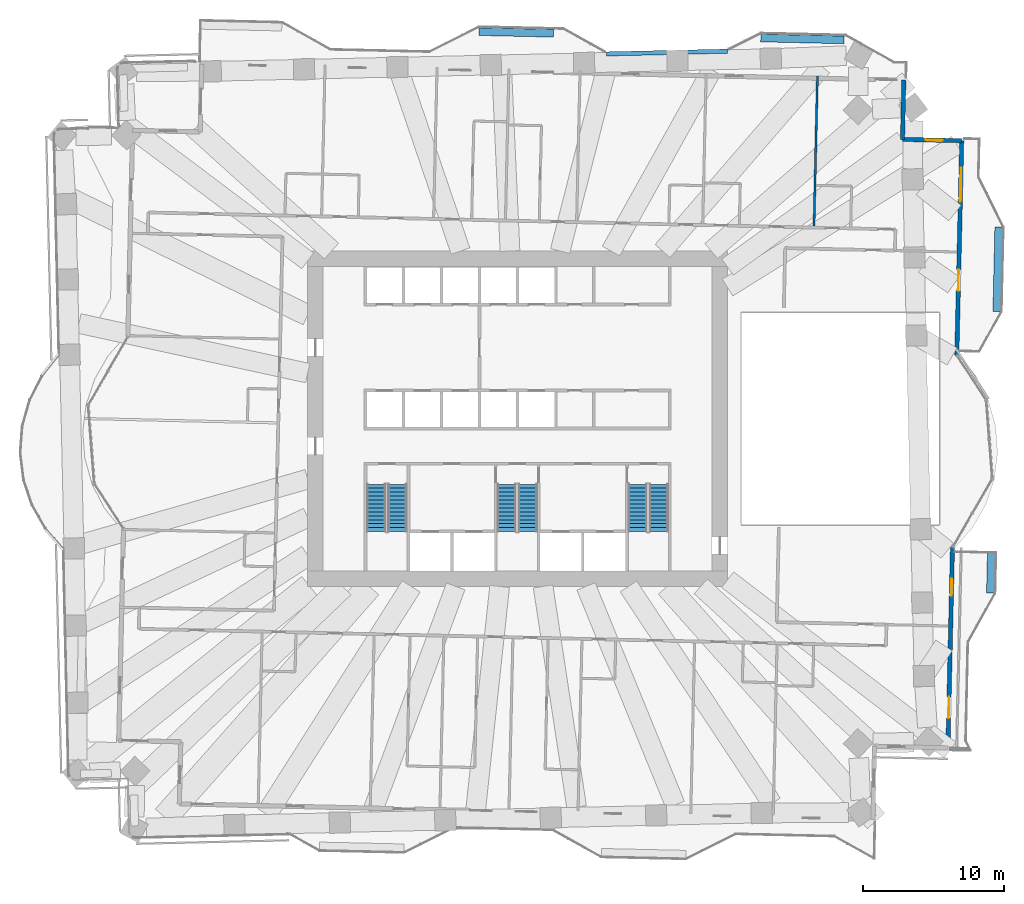
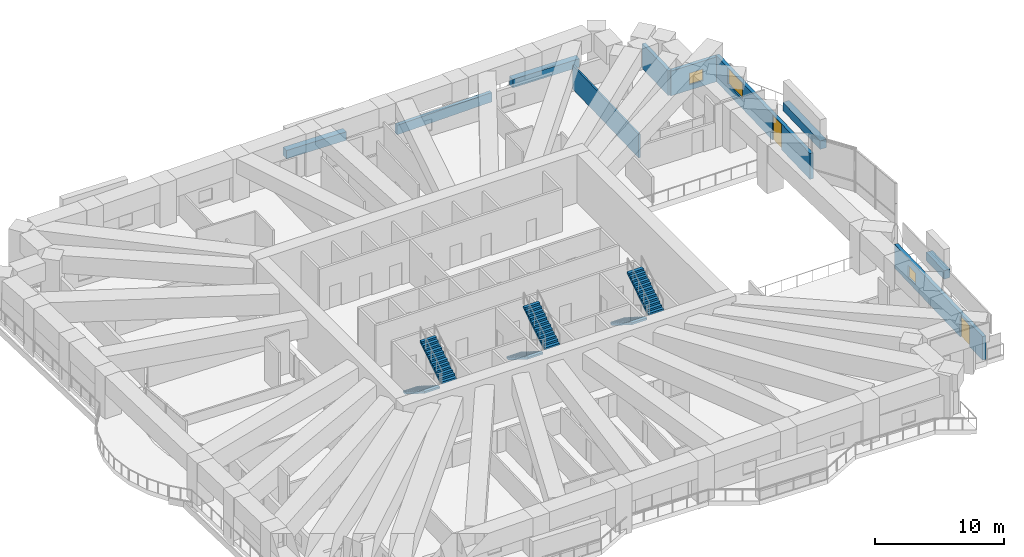
# One storey, part 14 of 20: 10 walls, 6 stair flights, 3 windows, 2 doors, 5 openings, 3 elements without a shape of their own.
"""IFC4 building model written with IfcOpenShell, lengths in metres."""

import ifcopenshell
import ifcopenshell.guid

model = None  # the IFC model being written
_history = None  # IfcOwnerHistory: only IFC2X3 demands one
_inside = {}  # id of a spatial element -> (the spatial element, [elements in it])
_under = {}  # id of a project, library or spatial element -> (it, [spatial elements below it])
_declared = {}  # id of a project -> (the project, [libraries it declares])
_typed = {}  # id of a type object -> (the type object, [elements of that type])
_made_of = {}  # id of a material, layer set ... -> (it, [elements and type objects made of it])


def new_model(schema):
    """Start an empty IFC model of exactly this schema.

    Asked for "IFC4X3", IfcOpenShell would pick the latest addendum, in which some entities
    have other attributes; the version numbers below select the first issue.
    IFC2X3 requires an IfcOwnerHistory on every rooted entity: one is made here for all.
    """
    global model, _history
    if schema == "IFC4X3":
        model = ifcopenshell.file(schema_version=(4, 3, 0, 0))
    else:
        model = ifcopenshell.file(schema=schema)
    _inside.clear()
    _under.clear()
    _declared.clear()
    _typed.clear()
    _made_of.clear()
    _history = None
    if model.schema == "IFC2X3":
        org = make("IfcOrganization", Name="unknown")
        user = make(
            "IfcPersonAndOrganization",
            ThePerson=make("IfcPerson", FamilyName="unknown"),
            TheOrganization=org,
        )
        app = make(
            "IfcApplication",
            ApplicationDeveloper=org,
            Version="unknown",
            ApplicationFullName="unknown",
            ApplicationIdentifier="unknown",
        )
        _history = make(
            "IfcOwnerHistory",
            OwningUser=user,
            OwningApplication=app,
            ChangeAction="ADDED",
            CreationDate=0,
        )
    return model


def make(cls, **values):
    """One entity of the class cls with the attributes given. An attribute that is None is left unset."""
    return model.create_entity(
        cls, **{name: value for name, value in values.items() if value is not None}
    )


def rooted(cls, **values):
    """An entity with a GlobalId (a new one), such as an element, a storey or a relation."""
    return make(cls, GlobalId=ifcopenshell.guid.new(), OwnerHistory=_history, **values)


def si_unit(unit_type, name, prefix=None):
    """IfcSIUnit, for example si_unit("LENGTHUNIT", "METRE", prefix="MILLI")."""
    return make("IfcSIUnit", UnitType=unit_type, Prefix=prefix, Name=name)


def assignment(units):
    """IfcUnitAssignment: the units of a project."""
    return None if units is None else make("IfcUnitAssignment", Units=units)


def point(xyz):
    """IfcCartesianPoint."""
    return None if xyz is None else make("IfcCartesianPoint", Coordinates=xyz)


def direction(xyz):
    """IfcDirection."""
    return None if xyz is None else make("IfcDirection", DirectionRatios=xyz)


def frame(location, z_axis=None, x_axis=None):
    """IfcAxis2Placement3D, a coordinate frame: its origin and axes. An axis left out is left unset."""
    return make(
        "IfcAxis2Placement3D",
        Location=point(location),
        Axis=direction(z_axis),
        RefDirection=direction(x_axis),
    )


def frame_2d(location, x_axis=None):
    """IfcAxis2Placement2D, a coordinate frame in the plane: its origin and x axis."""
    return make(
        "IfcAxis2Placement2D", Location=point(location), RefDirection=direction(x_axis)
    )


def origin():
    """The frame at (0, 0, 0) with its axes left unset."""
    return frame((0.0, 0.0, 0.0))


def place(relative_to, where):
    """IfcLocalPlacement: puts the frame where relative to a parent placement (None: the world)."""
    return make(
        "IfcLocalPlacement", PlacementRelTo=relative_to, RelativePlacement=where
    )


def context(
    kind, dimensions, precision=None, world=None, true_north=None, identifier=None
):
    """IfcGeometricRepresentationContext, for example the 3D "Model" context."""
    return make(
        "IfcGeometricRepresentationContext",
        ContextIdentifier=identifier,
        ContextType=kind,
        CoordinateSpaceDimension=dimensions,
        Precision=precision,
        WorldCoordinateSystem=world,
        TrueNorth=true_north,
    )


def subcontext(parent, identifier, kind, view, scale=None):
    """IfcGeometricRepresentationSubContext, for example "Body" below "Model"."""
    return make(
        "IfcGeometricRepresentationSubContext",
        ContextIdentifier=identifier,
        ContextType=kind,
        ParentContext=parent,
        TargetScale=scale,
        TargetView=view,
    )


def project(units=None, contexts=None):
    """IfcProject with its units and contexts."""
    return rooted(
        "IfcProject",
        Name="project",
        RepresentationContexts=contexts,
        UnitsInContext=assignment(units),
    )


def spatial(cls, under=None, at=None, **own):
    """A site, building, storey or space (cls), placed at a placement, below another one or the project."""
    s = rooted(cls, ObjectPlacement=at, **own)
    if under is not None:
        _under.setdefault(under.id(), (under, []))[1].append(s)
    return s


def polyline(points):
    """IfcPolyline through the points."""
    return make("IfcPolyline", Points=[point(p) for p in points])


def profile(cls, at=None, kind="AREA", **sizes):
    """A parametric profile (cls). Its sizes go by their IFC names, for example OverallWidth=200.0."""
    return make(cls, ProfileType=kind, Position=at, **sizes)


def rectangle(**sizes):
    """IfcRectangleProfileDef."""
    return profile("IfcRectangleProfileDef", **sizes)


def outline(outer, holes=None, kind="AREA"):
    """IfcArbitraryClosedProfileDef: a profile drawn as a closed curve; with holes, ...WithVoids."""
    if holes is None:
        return make("IfcArbitraryClosedProfileDef", ProfileType=kind, OuterCurve=outer)
    return make(
        "IfcArbitraryProfileDefWithVoids",
        ProfileType=kind,
        OuterCurve=outer,
        InnerCurves=holes,
    )


def extrude(swept, where, along, depth):
    """IfcExtrudedAreaSolid: the profile swept, set in the frame where, extruded along a direction by depth."""
    return make(
        "IfcExtrudedAreaSolid",
        SweptArea=swept,
        Position=where,
        ExtrudedDirection=direction(along),
        Depth=depth,
    )


def shape(context_of_items, identifier, shape_type, items):
    """IfcShapeRepresentation: the items that make up one representation, for example the "Body"."""
    return make(
        "IfcShapeRepresentation",
        ContextOfItems=context_of_items,
        RepresentationIdentifier=identifier,
        RepresentationType=shape_type,
        Items=items,
    )


def material(Name=None, Category=None):
    """IfcMaterial."""
    return make("IfcMaterial", Name=Name, Category=Category)


def layer(
    of_material, thickness, ventilated=None, Name=None, Category=None, Priority=None
):
    """IfcMaterialLayer: one layer of a wall or slab, of a material (None: an air gap)."""
    return make(
        "IfcMaterialLayer",
        Material=of_material,
        LayerThickness=thickness,
        IsVentilated=ventilated,
        Name=Name,
        Category=Category,
        Priority=Priority,
    )


def layer_set(layers, Name=None):
    """IfcMaterialLayerSet."""
    return make("IfcMaterialLayerSet", MaterialLayers=layers, LayerSetName=Name)


def made_of(thing, what):
    """Note that an element or type object is made of a material, layer set ...; save() writes the relation."""
    if what is not None:
        _made_of.setdefault(what.id(), (what, []))[1].append(thing)
    return thing


def type_object(cls, material=None, **own):
    """A type object (cls), such as IfcWallType, which elements share."""
    return made_of(rooted(cls, **own), material)


def element(
    cls,
    number,
    at=None,
    inside=None,
    cuts=None,
    type_object=None,
    material=None,
    context=None,
    identifier="Body",
    shape_type=None,
    held_by="IfcProductDefinitionShape",
    body=None,
    shapes=None,
    **own,
):
    """One element of the class cls, such as IfcWall. Its Tag is "e" and its number.

    at: its placement. inside: the storey or other place that contains it. cuts: it is an
    opening in that element (IfcRelVoidsElement). A single representation is given by context,
    identifier, shape_type and body (its items); several are given by shapes. held_by: the class
    of the entity that holds the representations. save() writes the other relations.
    """
    e = rooted(cls, Tag="e%d" % number, ObjectPlacement=at, **own)
    if body is not None:
        shapes = [shape(context, identifier, shape_type, body)]
    if shapes is not None:
        e.Representation = make(held_by, Representations=shapes)
    if inside is not None:
        _inside.setdefault(inside.id(), (inside, []))[1].append(e)
    if cuts is not None:
        rooted(
            "IfcRelVoidsElement", RelatingBuildingElement=cuts, RelatedOpeningElement=e
        )
    if type_object is not None:
        _typed.setdefault(type_object.id(), (type_object, []))[1].append(e)
    return made_of(e, material)


def fill(opening, filler):
    """IfcRelFillsElement: the door or window that sits in an opening."""
    return rooted(
        "IfcRelFillsElement",
        RelatingOpeningElement=opening,
        RelatedBuildingElement=filler,
    )


def aggregate(whole, parts):
    """IfcRelAggregates: a whole, such as a stair, and the parts it consists of."""
    return rooted("IfcRelAggregates", RelatingObject=whole, RelatedObjects=parts)


def save(model, path):
    """Write the relations noted so far, then the file.

    IfcRelAggregates (storeys below a building ...), IfcRelContainedInSpatialStructure (elements
    in a storey), IfcRelDefinesByType, IfcRelAssociatesMaterial and IfcRelDeclares: one each for
    every whole, place, type object, material and project.
    """
    for whole, parts in _under.values():
        aggregate(whole, parts)
    for where, things in _inside.values():
        rooted(
            "IfcRelContainedInSpatialStructure",
            RelatedElements=things,
            RelatingStructure=where,
        )
    for kind, things in _typed.values():
        rooted("IfcRelDefinesByType", RelatedObjects=things, RelatingType=kind)
    for what, things in _made_of.values():
        rooted("IfcRelAssociatesMaterial", RelatedObjects=things, RelatingMaterial=what)
    for by, libraries in _declared.values():
        rooted("IfcRelDeclares", RelatingContext=by, RelatedDefinitions=libraries)
    model.write(path)


model = new_model("IFC4")

# Units and contexts
model_context = context("Model", 3, precision=1e-05, world=origin(), true_north=direction((0.0, 1.0)))
body_context = subcontext(model_context, "Body", "Model", "MODEL_VIEW")
ifc_project = project(units=[si_unit("LENGTHUNIT", "METRE"), si_unit("AREAUNIT", "SQUARE_METRE"), si_unit("VOLUMEUNIT", "CUBIC_METRE"), si_unit("PLANEANGLEUNIT", "RADIAN"), si_unit("MASSUNIT", "GRAM", prefix="KILO")], contexts=[model_context])

# Site, building, storey
site_placement = place(None, origin())
site = spatial("IfcSite", under=ifc_project, at=site_placement, CompositionType="ELEMENT")
building_placement = place(site_placement, origin())
building = spatial("IfcBuilding", under=site, at=building_placement, Name="Mangrove Gate Tower", CompositionType="ELEMENT")
storey_placement = place(building_placement, frame((0.0, 0.0, 52.10009765625)))
storey = spatial("IfcBuildingStorey", under=building, at=storey_placement, Name="L12", CompositionType="ELEMENT", Elevation=52.10009765625)

# Wall, openings, door, window
ifc_material_1 = material(Name="Limestone", Category="masonry")
ifc_layer_1 = layer(ifc_material_1, 0.0400390625, Name="Limestone cladding")
ifc_material_2 = material(Name="Ventilated air gap")
ifc_layer_2 = layer(ifc_material_2, 0.0400390625, Name="Ventilated cavity")
ifc_material_3 = material(Name="Mineral wool insulation")
ifc_layer_3 = layer(ifc_material_3, 0.06005859375, Name="Insulation")
ifc_material_4 = material(Name="Breather membrane")
ifc_layer_4 = layer(ifc_material_4, 0.001953125, Name="Breather membrane")
ifc_material_5 = material(Name="Concrete C20/25 blockwork", Category="masonry")
ifc_layer_5 = layer(ifc_material_5, 0.14990234375, Name="Blockwork backing wall")
ifc_material_6 = material(Name="Gypsum plaster")
ifc_layer_6 = layer(ifc_material_6, 0.008056640625, Name="Internal plaster")
ifc_layer_set_1 = layer_set([ifc_layer_1, ifc_layer_2, ifc_layer_3, ifc_layer_4, ifc_layer_5, ifc_layer_6], Name="External wall 300 limestone cladding")
wall_type_1 = type_object("IfcWallType", Name="External wall 300 limestone cladding", PredefinedType="SOLIDWALL", material=ifc_layer_set_1)
wall_1_placement = place(storey_placement, frame((30.532958984375, -23.362060546875, 0.0), z_axis=(0.0, 0.0, 1.0), x_axis=(0.022698800888, 0.999742349027, 0.0)))
wall_1 = element("IfcWall", 1, at=wall_1_placement, inside=storey, type_object=wall_type_1, Name="WALL-L12-E0", PredefinedType="SOLIDWALL", context=body_context, shape_type="SweptSolid", body=[
    extrude(rectangle(XDim=14.229736328125, YDim=0.300048828125, at=frame_2d((7.11474609375, 0.0))), origin(), (0.0, 0.0, 1.0), 2.25),
])
opening_1_placement = place(wall_1_placement, frame((2.116943359375, 0.0, 0.0)))
opening_1 = element("IfcOpeningElement", 2, at=opening_1_placement, cuts=wall_1, Name="Opening BD3", PredefinedType="OPENING", context=body_context, shape_type="SweptSolid", body=[
    extrude(rectangle(XDim=1.5, YDim=2.0, at=frame_2d((0.75, 1.0))), frame((0.0, 0.159912109375, 0.0), z_axis=(0.0, -1.0, 0.0), x_axis=(1.0, 0.0, 0.0)), (0.0, 0.0, 1.0), 0.320068359375),
])
opening_2_placement = place(wall_1_placement, frame((10.81201171875, 0.0, 0.5)))
opening_2 = element("IfcOpeningElement", 3, at=opening_2_placement, cuts=wall_1, Name="Opening W6", PredefinedType="OPENING", context=body_context, shape_type="SweptSolid", body=[
    extrude(rectangle(XDim=1.199951171875, YDim=1.10009765625, at=frame_2d((0.60009765625, 0.550048828125))), frame((0.0, 0.159912109375, 0.0), z_axis=(0.0, -1.0, 0.0), x_axis=(1.0, 0.0, 0.0)), (0.0, 0.0, 1.0), 0.320068359375),
])
ifc_material_7 = material(Name="Aluminium frame with laminated clear glass", Category="aluminium")
door_type_1 = type_object("IfcDoorType", Name="Balcony sliding door 1500x2000", OperationType="SLIDING_TO_LEFT", PredefinedType="DOOR", material=ifc_material_7)
door_1_placement = place(opening_1_placement, origin())
door_1 = element("IfcDoor", 4, at=door_1_placement, inside=storey, type_object=door_type_1, Name="DOOR-L12-E0-1", OperationType="SLIDING_TO_LEFT", OverallHeight=2.0, OverallWidth=1.5, PredefinedType="DOOR", context=body_context, shape_type="SweptSolid", body=[
    extrude(rectangle(XDim=1.5, YDim=2.0, at=frame_2d((0.75, 1.0))), frame((0.0, 0.02490234375, 0.0), z_axis=(0.0, -1.0, 0.0), x_axis=(1.0, 0.0, 0.0)), (0.0, 0.0, 1.0), 0.050048828125),
])
fill(opening_1, door_1)
ifc_material_8 = material(Name="Aluminium frame with double-glazed low-e glass", Category="aluminium")
window_type_1 = type_object("IfcWindowType", Name="Low window 1200x1100", PartitioningType="SINGLE_PANEL", PredefinedType="WINDOW", material=ifc_material_8)
window_1_placement = place(opening_2_placement, origin())
window_1 = element("IfcWindow", 5, at=window_1_placement, inside=storey, type_object=window_type_1, Name="WIN-L12-E0-2", OverallHeight=1.10009765625, OverallWidth=1.199951171875, PartitioningType="SINGLE_PANEL", PredefinedType="WINDOW", context=body_context, shape_type="SweptSolid", body=[
    extrude(rectangle(XDim=1.199951171875, YDim=1.10009765625, at=frame_2d((0.60009765625, 0.550048828125))), frame((0.0, 0.030029296875, 0.0), z_axis=(0.0, -1.0, 0.0), x_axis=(1.0, 0.0, 0.0)), (0.0, 0.0, 1.0), 0.06005859375),
])
fill(opening_2, window_1)

wall_2_placement = place(storey_placement, frame((31.1650390625, 4.501953125, 0.0), z_axis=(0.0, 0.0, 1.0), x_axis=(0.022716307128, 0.999741951401, 0.0)))
wall_2 = element("IfcWall", 6, at=wall_2_placement, inside=storey, type_object=wall_type_1, Name="WALL-L12-E2", PredefinedType="SOLIDWALL", context=body_context, shape_type="SweptSolid", body=[
    extrude(rectangle(XDim=15.22900390625, YDim=0.300048828125, at=frame_2d((7.614501953125, 0.0))), origin(), (0.0, 0.0, 1.0), 2.449951171875),
])
opening_3_placement = place(wall_2_placement, frame((4.577880859375, 0.0, 0.0)))
opening_3 = element("IfcOpeningElement", 7, at=opening_3_placement, cuts=wall_2, Name="Opening BD1", PredefinedType="OPENING", context=body_context, shape_type="SweptSolid", body=[
    extrude(rectangle(XDim=1.5, YDim=2.39990234375, at=frame_2d((0.75, 1.199951171875))), frame((0.0, 0.159912109375, 0.0), z_axis=(0.0, -1.0, 0.0), x_axis=(1.0, 0.0, 0.0)), (0.0, 0.0, 1.0), 0.320068359375),
])
opening_4_placement = place(wall_2_placement, frame((10.904052734375, 0.0, 0.89990234375)))
opening_4 = element("IfcOpeningElement", 8, at=opening_4_placement, cuts=wall_2, Name="Opening W2", PredefinedType="OPENING", context=body_context, shape_type="SweptSolid", body=[
    extrude(rectangle(XDim=2.39990234375, YDim=1.5, at=frame_2d((1.199951171875, 0.75))), frame((0.0, 0.159912109375, 0.0), z_axis=(0.0, -1.0, 0.0), x_axis=(1.0, 0.0, 0.0)), (0.0, 0.0, 1.0), 0.320068359375),
])
ifc_material_9 = material(Name="Aluminium frame with laminated clear glass", Category="aluminium")
door_type_2 = type_object("IfcDoorType", Name="Balcony sliding door 1500x2400", OperationType="SLIDING_TO_LEFT", PredefinedType="DOOR", material=ifc_material_9)
door_2_placement = place(opening_3_placement, origin())
door_2 = element("IfcDoor", 9, at=door_2_placement, inside=storey, type_object=door_type_2, Name="DOOR-L12-E2-1", OperationType="SLIDING_TO_LEFT", OverallHeight=2.39990234375, OverallWidth=1.5, PredefinedType="DOOR", context=body_context, shape_type="SweptSolid", body=[
    extrude(rectangle(XDim=1.5, YDim=2.39990234375, at=frame_2d((0.75, 1.199951171875))), frame((0.0, 0.02490234375, 0.0), z_axis=(0.0, -1.0, 0.0), x_axis=(1.0, 0.0, 0.0)), (0.0, 0.0, 1.0), 0.050048828125),
])
fill(opening_3, door_2)
ifc_material_10 = material(Name="Aluminium frame with double-glazed low-e glass", Category="aluminium")
window_type_2 = type_object("IfcWindowType", Name="Corner room window 2400x1500", PartitioningType="DOUBLE_PANEL_VERTICAL", PredefinedType="WINDOW", material=ifc_material_10)
window_2_placement = place(opening_4_placement, origin())
window_2 = element("IfcWindow", 10, at=window_2_placement, inside=storey, type_object=window_type_2, Name="WIN-L12-E2-2", OverallHeight=1.5, OverallWidth=2.39990234375, PartitioningType="DOUBLE_PANEL_VERTICAL", PredefinedType="WINDOW", context=body_context, shape_type="SweptSolid", body=[
    extrude(rectangle(XDim=2.39990234375, YDim=1.5, at=frame_2d((1.199951171875, 0.75))), frame((0.0, 0.030029296875, 0.0), z_axis=(0.0, -1.0, 0.0), x_axis=(1.0, 0.0, 0.0)), (0.0, 0.0, 1.0), 0.06005859375),
])
fill(opening_4, window_2)

# Wall, opening, window
wall_3_placement = place(storey_placement, frame((31.510986328125, 19.72705078125, 0.0), z_axis=(0.0, 0.0, 1.0), x_axis=(-0.999744320311, 0.022611811187, 0.0)))
wall_3 = element("IfcWall", 11, at=wall_3_placement, inside=storey, type_object=wall_type_1, Name="WALL-L12-N3", PredefinedType="SOLIDWALL", context=body_context, shape_type="SweptSolid", body=[
    extrude(rectangle(XDim=4.199951171875, YDim=0.300048828125, at=frame_2d((2.10009765625, 0.0))), origin(), (0.0, 0.0, 1.0), 2.349853515625),
])
opening_5_placement = place(wall_3_placement, frame((1.35009765625, 0.0, 0.5)))
opening_5 = element("IfcOpeningElement", 12, at=opening_5_placement, cuts=wall_3, Name="Opening W6", PredefinedType="OPENING", context=body_context, shape_type="SweptSolid", body=[
    extrude(rectangle(XDim=1.199951171875, YDim=1.10009765625, at=frame_2d((0.60009765625, 0.550048828125))), frame((0.0, 0.159912109375, 0.0), z_axis=(0.0, -1.0, 0.0), x_axis=(1.0, 0.0, 0.0)), (0.0, 0.0, 1.0), 0.320068359375),
])
window_3_placement = place(opening_5_placement, origin())
window_3 = element("IfcWindow", 13, at=window_3_placement, inside=storey, type_object=window_type_1, Name="WIN-L12-N3-1", OverallHeight=1.10009765625, OverallWidth=1.199951171875, PartitioningType="SINGLE_PANEL", PredefinedType="WINDOW", context=body_context, shape_type="SweptSolid", body=[
    extrude(rectangle(XDim=1.199951171875, YDim=1.10009765625, at=frame_2d((0.60009765625, 0.550048828125))), frame((0.0, 0.030029296875, 0.0), z_axis=(0.0, -1.0, 0.0), x_axis=(1.0, 0.0, 0.0)), (0.0, 0.0, 1.0), 0.06005859375),
])
fill(opening_5, window_3)

# Walls
wall_4_placement = place(storey_placement, frame((27.31201171875, 19.822021484375, 0.0), z_axis=(0.0, 0.0, 1.0), x_axis=(0.022611811187, 0.999744320311, 0.0)))
element("IfcWall", 14, at=wall_4_placement, inside=storey, type_object=wall_type_1, Name="WALL-L12-E4", PredefinedType="SOLIDWALL", context=body_context, shape_type="SweptSolid", body=[
    extrude(rectangle(XDim=4.199951171875, YDim=0.300048828125, at=frame_2d((2.10009765625, 0.0))), origin(), (0.0, 0.0, 1.0), 2.349853515625),
])
ifc_layer_7 = layer(ifc_material_1, 0.0400390625, Name="Limestone cladding")
ifc_layer_8 = layer(ifc_material_2, 0.030029296875, Name="Ventilated cavity")
ifc_layer_9 = layer(ifc_material_3, 0.050048828125, Name="Insulation")
ifc_material_11 = material(Name="Concrete C32/40", Category="concrete")
ifc_layer_10 = layer(ifc_material_11, 0.179931640625, Name="Parapet core wall")
ifc_layer_set_2 = layer_set([ifc_layer_7, ifc_layer_8, ifc_layer_9, ifc_layer_10], Name="Parapet 300 limestone")
wall_type_2 = type_object("IfcWallType", Name="Parapet 300 limestone", PredefinedType="PARAPET", material=ifc_layer_set_2)
wall_5_placement = place(storey_placement, frame((6.31103515625, 25.886962890625, 0.0), z_axis=(0.0, 0.0, 1.0), x_axis=(0.999744761435, 0.022592299185, 0.0)))
element("IfcWall", 15, at=wall_5_placement, inside=storey, type_object=wall_type_2, Name="PARAPET L12 T1.1.1", PredefinedType="PARAPET", context=body_context, shape_type="SweptSolid", body=[
    extrude(rectangle(XDim=8.591064453125, YDim=0.300048828125, at=frame_2d((4.29541015625, 0.0))), origin(), (0.0, 0.0, 1.0), 0.89990234375),
])
ifc_material_12 = material(Name="Gypsum board on steel stud, EI 60", Category="steel")
ifc_layer_11 = layer(ifc_material_12, 0.14990234375)
ifc_layer_set_3 = layer_set([ifc_layer_11], Name="Party wall 150 EI 60")
wall_type_3 = type_object("IfcWallType", Name="Party wall 150 EI 60", PredefinedType="PARTITIONING", material=ifc_layer_set_3)
wall_6_placement = place(storey_placement, frame((21.031982421875, 13.6630859375, 0.0), z_axis=(0.0, 0.0, 1.0), x_axis=(0.022718280885, 0.999741906551, 0.0)))
element("IfcWall", 16, at=wall_6_placement, inside=storey, type_object=wall_type_3, Name="WALL-L12-056", PredefinedType="PARTITIONING", context=body_context, shape_type="SweptSolid", body=[
    extrude(rectangle(XDim=10.649658203125, YDim=0.14990234375, at=frame_2d((5.32470703125, 0.0))), origin(), (0.0, 0.0, 1.0), 2.25),
])
ifc_layer_12 = layer(ifc_material_11, 0.199951171875, Name="Planter trough wall")
ifc_material_13 = material(Name="Bituminous waterproofing membrane")
ifc_layer_13 = layer(ifc_material_13, 0.0048828125, Name="Waterproofing")
ifc_material_14 = material(Name="Drainage board and gravel")
ifc_layer_14 = layer(ifc_material_14, 0.044921875, Name="Drainage layer")
ifc_material_15 = material(Name="Planting soil")
ifc_layer_15 = layer(ifc_material_15, 0.300048828125, Name="Growing medium")
ifc_layer_set_4 = layer_set([ifc_layer_12, ifc_layer_13, ifc_layer_14, ifc_layer_15], Name="Planter wall 550 C32/40")
wall_type_4 = type_object("IfcWallType", Name="Planter wall 550 C32/40", PredefinedType="USERDEFINED", material=ifc_layer_set_4)
wall_7_placement = place(storey_placement, frame((33.548095703125, -12.3779296875, 0.0), z_axis=(0.0, 0.0, 1.0), x_axis=(0.022590224177, 0.999744808324, 0.0)))
element("IfcWall", 17, at=wall_7_placement, inside=storey, type_object=wall_type_4, Name="PLANTER L12 E0.1", ObjectType="PLANTER", PredefinedType="USERDEFINED", context=body_context, shape_type="SweptSolid", body=[
    extrude(rectangle(XDim=2.874755859375, YDim=0.550048828125, at=frame_2d((1.4375, 0.0))), origin(), (0.0, 0.0, 1.0), 0.7998046875),
])
wall_8_placement = place(storey_placement, frame((34.001953125, 7.616943359375, 0.0), z_axis=(0.0, 0.0, 1.0), x_axis=(0.022665943652, 0.999743094499, 0.0)))
element("IfcWall", 18, at=wall_8_placement, inside=storey, type_object=wall_type_4, Name="PLANTER L12 E1.1", ObjectType="PLANTER", PredefinedType="USERDEFINED", context=body_context, shape_type="SweptSolid", body=[
    extrude(rectangle(XDim=5.99951171875, YDim=0.550048828125, at=frame_2d((2.999755859375, 0.0))), origin(), (0.0, 0.0, 1.0), 0.7998046875),
])
wall_9_placement = place(storey_placement, frame((17.2548828125, 27.01708984375, 0.0), z_axis=(0.0, 0.0, 1.0), x_axis=(0.999741899632, -0.022718585326, 0.0)))
element("IfcWall", 19, at=wall_9_placement, inside=storey, type_object=wall_type_4, Name="PLANTER L12 N0.1", ObjectType="PLANTER", PredefinedType="USERDEFINED", context=body_context, shape_type="SweptSolid", body=[
    extrude(rectangle(XDim=5.899658203125, YDim=0.550048828125, at=frame_2d((2.94970703125, 0.0))), origin(), (0.0, 0.0, 1.0), 0.7998046875),
])
wall_10_placement = place(storey_placement, frame((-2.739990234375, 27.470947265625, 0.0), z_axis=(0.0, 0.0, 1.0), x_axis=(0.999744137411, -0.022619896386, 0.0)))
element("IfcWall", 20, at=wall_10_placement, inside=storey, type_object=wall_type_4, Name="PLANTER L12 N1.2", ObjectType="PLANTER", PredefinedType="USERDEFINED", context=body_context, shape_type="SweptSolid", body=[
    extrude(rectangle(XDim=5.299560546875, YDim=0.550048828125, at=frame_2d((2.64990234375, 0.0))), origin(), (0.0, 0.0, 1.0), 0.7998046875),
])

# Stair, stair flights
ifc_material_16 = material(Name="Concrete C40/50", Category="concrete")
stair_type = type_object("IfcStairType", Name="Core stair 1350", PredefinedType="HALF_TURN_STAIR", material=ifc_material_16)
stair_1_placement = place(storey_placement, origin())
stair_1 = element("IfcStair", 21, at=stair_1_placement, inside=storey, type_object=stair_type, Name="L12 Stair 1", PredefinedType="HALF_TURN_STAIR")
ifc_material_17 = material(Name="Concrete C40/50", Category="concrete")
stair_flight_type = type_object("IfcStairFlightType", Name="Core stair flight 1350", PredefinedType="STRAIGHT", material=ifc_material_17)
stair_flight_1_placement = place(storey_placement, frame((-10.02490234375, -4.64990234375, 0.0), z_axis=(0.0, 0.0, 1.0), x_axis=(0.0, -1.0, 0.0)))
stair_flight_1 = element("IfcStairFlight", 22, at=stair_flight_1_placement, type_object=stair_flight_type, Name="ST1 flight 1", NumberOfRisers=13, NumberOfTreads=12, PredefinedType="STRAIGHT", RiserHeight=0.176923077, TreadLength=0.28, context=body_context, shape_type="SweptSolid", body=[
    extrude(outline(polyline([(0.0, 0.0), (0.0, 0.177001953125), (0.280029296875, 0.177001953125), (0.280029296875, 0.353759765625), (0.56005859375, 0.353759765625), (0.56005859375, 0.53076171875), (0.840087890625, 0.53076171875), (0.840087890625, 0.707763671875), (1.1201171875, 0.707763671875), (1.1201171875, 0.884521484375), (1.39990234375, 0.884521484375), (1.39990234375, 1.0615234375), (1.679931640625, 1.0615234375), (1.679931640625, 1.238525390625), (1.9599609375, 1.238525390625), (1.9599609375, 1.415283203125), (2.239990234375, 1.415283203125), (2.239990234375, 1.59228515625), (2.52001953125, 1.59228515625), (2.52001953125, 1.769287109375), (2.800048828125, 1.769287109375), (2.800048828125, 1.946044921875), (3.080078125, 1.946044921875), (3.080078125, 2.123046875), (3.360107421875, 2.123046875), (3.360107421875, 2.300048828125), (3.360107421875, 1.94580078125), (0.280517578125, 0.0), (0.0, 0.0)])), frame((0.0, 0.675048828125, 0.0), z_axis=(0.0, -1.0, 0.0), x_axis=(1.0, 0.0, 0.0)), (0.0, 0.0, 1.0), 1.35009765625),
])
stair_flight_2_placement = place(storey_placement, frame((-8.52490234375, -8.010009765625, 2.2998046875), z_axis=(0.0, 0.0, 1.0), x_axis=(0.0, 1.0, 0.0)))
stair_flight_2 = element("IfcStairFlight", 23, at=stair_flight_2_placement, type_object=stair_flight_type, Name="ST1 flight 2", NumberOfRisers=13, NumberOfTreads=12, PredefinedType="STRAIGHT", RiserHeight=0.176923077, TreadLength=0.28, context=body_context, shape_type="SweptSolid", body=[
    extrude(outline(polyline([(0.0, 0.0), (0.0, 0.177001953125), (0.280029296875, 0.177001953125), (0.280029296875, 0.353759765625), (0.56005859375, 0.353759765625), (0.56005859375, 0.53076171875), (0.840087890625, 0.53076171875), (0.840087890625, 0.707763671875), (1.1201171875, 0.707763671875), (1.1201171875, 0.884521484375), (1.39990234375, 0.884521484375), (1.39990234375, 1.0615234375), (1.679931640625, 1.0615234375), (1.679931640625, 1.238525390625), (1.9599609375, 1.238525390625), (1.9599609375, 1.415283203125), (2.239990234375, 1.415283203125), (2.239990234375, 1.59228515625), (2.52001953125, 1.59228515625), (2.52001953125, 1.769287109375), (2.800048828125, 1.769287109375), (2.800048828125, 1.946044921875), (3.080078125, 1.946044921875), (3.080078125, 2.123046875), (3.360107421875, 2.123046875), (3.360107421875, 2.300048828125), (3.360107421875, 1.94580078125), (0.280517578125, 0.0), (0.0, 0.0)])), frame((0.0, 0.675048828125, 0.0), z_axis=(0.0, -1.0, 0.0), x_axis=(1.0, 0.0, 0.0)), (0.0, 0.0, 1.0), 1.35009765625),
])
aggregate(stair_1, [stair_flight_1, stair_flight_2])

stair_2_placement = place(storey_placement, origin())
stair_2 = element("IfcStair", 24, at=stair_2_placement, inside=storey, type_object=stair_type, Name="L12 Stair 2", PredefinedType="HALF_TURN_STAIR")
stair_flight_3_placement = place(storey_placement, frame((-0.77490234375, -4.64990234375, 0.0), z_axis=(0.0, 0.0, 1.0), x_axis=(0.0, -1.0, 0.0)))
stair_flight_3 = element("IfcStairFlight", 25, at=stair_flight_3_placement, type_object=stair_flight_type, Name="ST2 flight 1", NumberOfRisers=13, NumberOfTreads=12, PredefinedType="STRAIGHT", RiserHeight=0.176923077, TreadLength=0.28, context=body_context, shape_type="SweptSolid", body=[
    extrude(outline(polyline([(0.0, 0.0), (0.0, 0.177001953125), (0.280029296875, 0.177001953125), (0.280029296875, 0.353759765625), (0.56005859375, 0.353759765625), (0.56005859375, 0.53076171875), (0.840087890625, 0.53076171875), (0.840087890625, 0.707763671875), (1.1201171875, 0.707763671875), (1.1201171875, 0.884521484375), (1.39990234375, 0.884521484375), (1.39990234375, 1.0615234375), (1.679931640625, 1.0615234375), (1.679931640625, 1.238525390625), (1.9599609375, 1.238525390625), (1.9599609375, 1.415283203125), (2.239990234375, 1.415283203125), (2.239990234375, 1.59228515625), (2.52001953125, 1.59228515625), (2.52001953125, 1.769287109375), (2.800048828125, 1.769287109375), (2.800048828125, 1.946044921875), (3.080078125, 1.946044921875), (3.080078125, 2.123046875), (3.360107421875, 2.123046875), (3.360107421875, 2.300048828125), (3.360107421875, 1.94580078125), (0.280517578125, 0.0), (0.0, 0.0)])), frame((0.0, 0.675048828125, 0.0), z_axis=(0.0, -1.0, 0.0), x_axis=(1.0, 0.0, 0.0)), (0.0, 0.0, 1.0), 1.35009765625),
])
stair_flight_4_placement = place(storey_placement, frame((0.72509765625, -8.010009765625, 2.2998046875), z_axis=(0.0, 0.0, 1.0), x_axis=(0.0, 1.0, 0.0)))
stair_flight_4 = element("IfcStairFlight", 26, at=stair_flight_4_placement, type_object=stair_flight_type, Name="ST2 flight 2", NumberOfRisers=13, NumberOfTreads=12, PredefinedType="STRAIGHT", RiserHeight=0.176923077, TreadLength=0.28, context=body_context, shape_type="SweptSolid", body=[
    extrude(outline(polyline([(0.0, 0.0), (0.0, 0.177001953125), (0.280029296875, 0.177001953125), (0.280029296875, 0.353759765625), (0.56005859375, 0.353759765625), (0.56005859375, 0.53076171875), (0.840087890625, 0.53076171875), (0.840087890625, 0.707763671875), (1.1201171875, 0.707763671875), (1.1201171875, 0.884521484375), (1.39990234375, 0.884521484375), (1.39990234375, 1.0615234375), (1.679931640625, 1.0615234375), (1.679931640625, 1.238525390625), (1.9599609375, 1.238525390625), (1.9599609375, 1.415283203125), (2.239990234375, 1.415283203125), (2.239990234375, 1.59228515625), (2.52001953125, 1.59228515625), (2.52001953125, 1.769287109375), (2.800048828125, 1.769287109375), (2.800048828125, 1.946044921875), (3.080078125, 1.946044921875), (3.080078125, 2.123046875), (3.360107421875, 2.123046875), (3.360107421875, 2.300048828125), (3.360107421875, 1.94580078125), (0.280517578125, 0.0), (0.0, 0.0)])), frame((0.0, 0.675048828125, 0.0), z_axis=(0.0, -1.0, 0.0), x_axis=(1.0, 0.0, 0.0)), (0.0, 0.0, 1.0), 1.35009765625),
])
aggregate(stair_2, [stair_flight_3, stair_flight_4])

stair_3_placement = place(storey_placement, origin())
stair_3 = element("IfcStair", 27, at=stair_3_placement, inside=storey, type_object=stair_type, Name="L12 Stair 3", PredefinedType="HALF_TURN_STAIR")
stair_flight_5_placement = place(storey_placement, frame((8.52490234375, -4.64990234375, 0.0), z_axis=(0.0, 0.0, 1.0), x_axis=(0.0, -1.0, 0.0)))
stair_flight_5 = element("IfcStairFlight", 28, at=stair_flight_5_placement, type_object=stair_flight_type, Name="ST3 flight 1", NumberOfRisers=13, NumberOfTreads=12, PredefinedType="STRAIGHT", RiserHeight=0.176923077, TreadLength=0.28, context=body_context, shape_type="SweptSolid", body=[
    extrude(outline(polyline([(0.0, 0.0), (0.0, 0.177001953125), (0.280029296875, 0.177001953125), (0.280029296875, 0.353759765625), (0.56005859375, 0.353759765625), (0.56005859375, 0.53076171875), (0.840087890625, 0.53076171875), (0.840087890625, 0.707763671875), (1.1201171875, 0.707763671875), (1.1201171875, 0.884521484375), (1.39990234375, 0.884521484375), (1.39990234375, 1.0615234375), (1.679931640625, 1.0615234375), (1.679931640625, 1.238525390625), (1.9599609375, 1.238525390625), (1.9599609375, 1.415283203125), (2.239990234375, 1.415283203125), (2.239990234375, 1.59228515625), (2.52001953125, 1.59228515625), (2.52001953125, 1.769287109375), (2.800048828125, 1.769287109375), (2.800048828125, 1.946044921875), (3.080078125, 1.946044921875), (3.080078125, 2.123046875), (3.360107421875, 2.123046875), (3.360107421875, 2.300048828125), (3.360107421875, 1.94580078125), (0.280517578125, 0.0), (0.0, 0.0)])), frame((0.0, 0.675048828125, 0.0), z_axis=(0.0, -1.0, 0.0), x_axis=(1.0, 0.0, 0.0)), (0.0, 0.0, 1.0), 1.35009765625),
])
stair_flight_6_placement = place(storey_placement, frame((10.02490234375, -8.010009765625, 2.2998046875), z_axis=(0.0, 0.0, 1.0), x_axis=(0.0, 1.0, 0.0)))
stair_flight_6 = element("IfcStairFlight", 29, at=stair_flight_6_placement, type_object=stair_flight_type, Name="ST3 flight 2", NumberOfRisers=13, NumberOfTreads=12, PredefinedType="STRAIGHT", RiserHeight=0.176923077, TreadLength=0.28, context=body_context, shape_type="SweptSolid", body=[
    extrude(outline(polyline([(0.0, 0.0), (0.0, 0.177001953125), (0.280029296875, 0.177001953125), (0.280029296875, 0.353759765625), (0.56005859375, 0.353759765625), (0.56005859375, 0.53076171875), (0.840087890625, 0.53076171875), (0.840087890625, 0.707763671875), (1.1201171875, 0.707763671875), (1.1201171875, 0.884521484375), (1.39990234375, 0.884521484375), (1.39990234375, 1.0615234375), (1.679931640625, 1.0615234375), (1.679931640625, 1.238525390625), (1.9599609375, 1.238525390625), (1.9599609375, 1.415283203125), (2.239990234375, 1.415283203125), (2.239990234375, 1.59228515625), (2.52001953125, 1.59228515625), (2.52001953125, 1.769287109375), (2.800048828125, 1.769287109375), (2.800048828125, 1.946044921875), (3.080078125, 1.946044921875), (3.080078125, 2.123046875), (3.360107421875, 2.123046875), (3.360107421875, 2.300048828125), (3.360107421875, 1.94580078125), (0.280517578125, 0.0), (0.0, 0.0)])), frame((0.0, 0.675048828125, 0.0), z_axis=(0.0, -1.0, 0.0), x_axis=(1.0, 0.0, 0.0)), (0.0, 0.0, 1.0), 1.35009765625),
])
aggregate(stair_3, [stair_flight_5, stair_flight_6])

save(model, "model.ifc")
